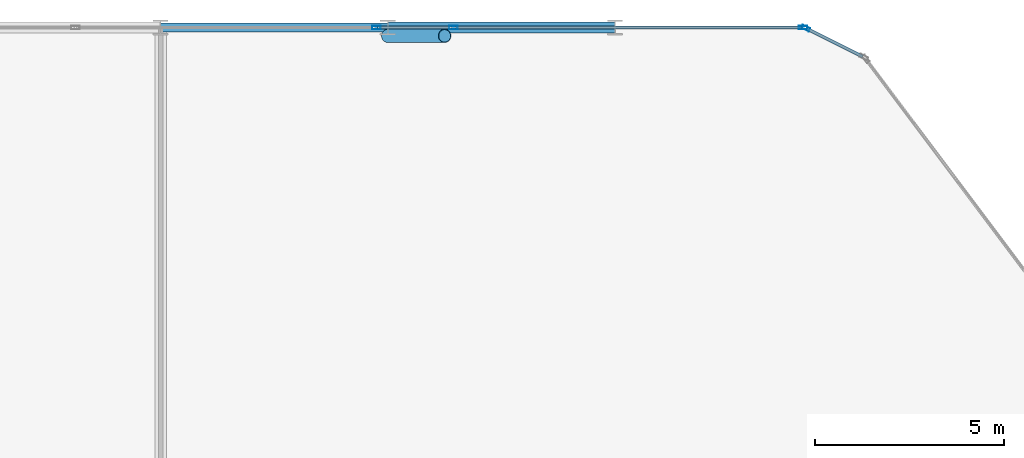
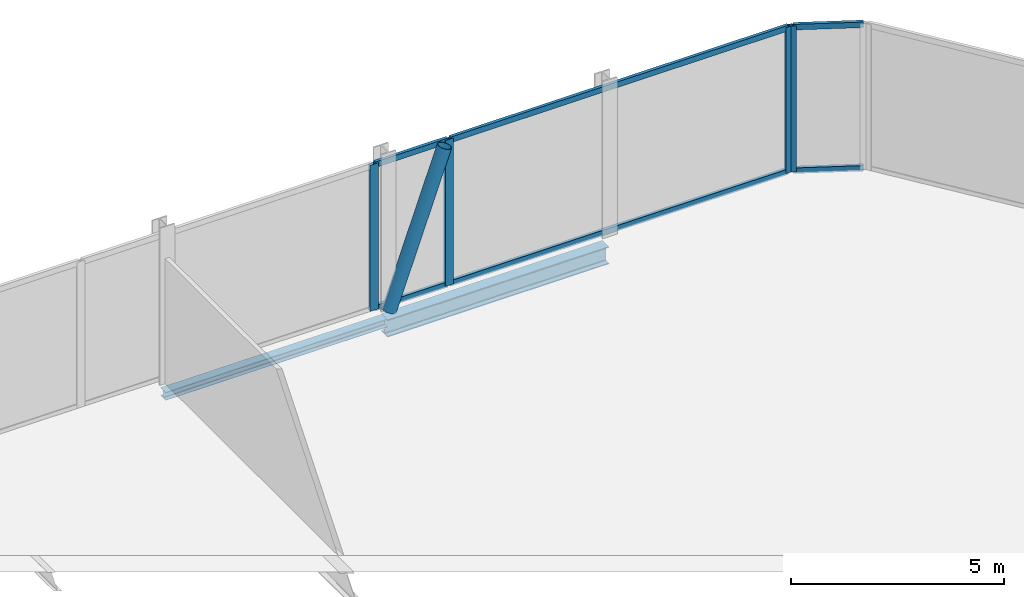
# One storey, part 17 of 30: 11 members, 2 beams, 4 elements without a shape of their own.
"""IFC4 building model written with IfcOpenShell, lengths in metres."""

from ifc_helpers import new_model, si_unit, direction, frame, origin, origin_2d, place, context, subcontext, project, spatial, hollow_rectangle, hollow_circle, i_section, extrude, material, layer, layer_set, material_profile, profile_set, type_object, element, aggregate, save


model = new_model("IFC4")

# Units and contexts
model_context = context("Model", 3, precision=1e-05, world=origin(), true_north=direction((0.0, 1.0)))
body_context = subcontext(model_context, "Body", "Model", "MODEL_VIEW")
ifc_project = project(units=[si_unit("LENGTHUNIT", "METRE"), si_unit("AREAUNIT", "SQUARE_METRE"), si_unit("VOLUMEUNIT", "CUBIC_METRE"), si_unit("PLANEANGLEUNIT", "RADIAN"), si_unit("MASSUNIT", "GRAM", prefix="KILO")], contexts=[model_context])

# Site, building, storey
site_placement = place(None, origin())
site = spatial("IfcSite", under=ifc_project, at=site_placement, CompositionType="ELEMENT")
building_placement = place(site_placement, origin())
building = spatial("IfcBuilding", under=site, at=building_placement, Name="Keshet Zoharim Tower", CompositionType="ELEMENT")
storey_placement = place(building_placement, frame((0.0, 0.0, 65.60009765625)))
storey = spatial("IfcBuildingStorey", under=building, at=storey_placement, Name="L15", CompositionType="ELEMENT", Elevation=65.60009765625)

# Beams
ifc_material_1 = material(Name="Steel S355", Category="steel")
ifc_material_profile_1 = material_profile(ifc_material_1, i_section(OverallWidth=0.239990234375, OverallDepth=0.22998046875, WebThickness=0.007568359375, FlangeThickness=0.011962890625, FilletRadius=0.02099609375, at=origin_2d()), Name="HEA240")
ifc_profile_set_1 = profile_set([ifc_material_profile_1], Name="Steel S355")
beam_type_1 = type_object("IfcBeamType", Name="BM-LNT-HA240", PredefinedType="LINTEL", material=ifc_profile_set_1)
beam_1_placement = place(storey_placement, frame((33.0, 53.89990234375, -0.43505859375), z_axis=(1.0, 0.0, 0.0), x_axis=(0.0, 1.0, 0.0)))
element("IfcBeam", 1, at=beam_1_placement, inside=storey, type_object=beam_type_1, Name="L15 Primary Girder X-028", PredefinedType="LINTEL", context=body_context, shape_type="SweptSolid", body=[
    extrude(i_section(OverallWidth=0.239990234375, OverallDepth=0.22998046875, WebThickness=0.007568359375, FlangeThickness=0.011962890625, FilletRadius=0.02099609375, at=origin_2d()), origin(), (0.0, 0.0, 1.0), 6.0),
])
ifc_material_profile_2 = material_profile(ifc_material_1, i_section(OverallWidth=0.300048828125, OverallDepth=0.5, WebThickness=0.014404296875, FlangeThickness=0.028076171875, FilletRadius=0.027099609375, at=origin_2d()), Name="HEB500")
ifc_profile_set_2 = profile_set([ifc_material_profile_2], Name="Steel S355")
beam_type_2 = type_object("IfcBeamType", Name="BM-WEB-HB500", PredefinedType="BEAM", material=ifc_profile_set_2)
beam_2_placement = place(storey_placement, frame((39.0, 53.89990234375, -0.570068359375), z_axis=(1.0, 0.0, 0.0), x_axis=(0.0, 1.0, 0.0)))
element("IfcBeam", 2, at=beam_2_placement, inside=storey, type_object=beam_type_2, Name="L15 Primary Girder X-029", PredefinedType="BEAM", context=body_context, shape_type="SweptSolid", body=[
    extrude(i_section(OverallWidth=0.300048828125, OverallDepth=0.5, WebThickness=0.014404296875, FlangeThickness=0.028076171875, FilletRadius=0.027099609375, at=origin_2d()), origin(), (0.0, 0.0, 1.0), 6.0),
])

# Curtain wall, member
ifc_material_2 = material(Name="Aluminium 6063-T6", Category="aluminium")
ifc_layer = layer(ifc_material_2, 0.169921875)
ifc_layer_set = layer_set([ifc_layer], Name="Aluminium 6063-T6")
curtain_wall_type = type_object("IfcCurtainWallType", Name="CW-SYS-02", PredefinedType="NOTDEFINED", material=ifc_layer_set)
curtain_wall_1_placement = place(storey_placement, origin())
curtain_wall_1 = element("IfcCurtainWall", 3, at=curtain_wall_1_placement, inside=storey, type_object=curtain_wall_type, Name="L15 Unitised Curtain Wall 04 Part 3", PredefinedType="NOTDEFINED")
ifc_material_profile_3 = material_profile(ifc_material_2, hollow_rectangle(XDim=0.090087890625, YDim=0.219970703125, WallThickness=0.0048828125, at=origin_2d()), Name="MUL-90x220")
ifc_profile_set_3 = profile_set([ifc_material_profile_3], Name="Aluminium 6063-T6")
member_type_1 = type_object("IfcMemberType", Name="CWM-M22", PredefinedType="MULLION", material=ifc_profile_set_3)
member_1_placement = place(storey_placement, frame((38.697509765625, 53.89990234375, 0.0), z_axis=(0.0, 0.0, 1.0), x_axis=(0.0, 1.0, 0.0)))
member_1 = element("IfcMember", 4, at=member_1_placement, type_object=member_type_1, Name="CW-02 mullion 3", PredefinedType="MULLION", context=body_context, shape_type="SweptSolid", body=[
    extrude(hollow_rectangle(XDim=0.090087890625, YDim=0.219970703125, WallThickness=0.0048828125, at=origin_2d()), origin(), (0.0, 0.0, 1.0), 4.184814453125),
])
aggregate(curtain_wall_1, [member_1])

curtain_wall_2_placement = place(storey_placement, origin())
curtain_wall_2 = element("IfcCurtainWall", 5, at=curtain_wall_2_placement, inside=storey, type_object=curtain_wall_type, Name="L15 Unitised Curtain Wall 04 Part 4", PredefinedType="NOTDEFINED")
member_2_placement = place(storey_placement, frame((40.732421875, 53.89990234375, 0.0), z_axis=(0.0, 0.0, 1.0), x_axis=(0.0, 1.0, 0.0)))
member_2 = element("IfcMember", 6, at=member_2_placement, type_object=member_type_1, Name="CW-02 mullion 2", PredefinedType="MULLION", context=body_context, shape_type="SweptSolid", body=[
    extrude(hollow_rectangle(XDim=0.090087890625, YDim=0.219970703125, WallThickness=0.0048828125, at=origin_2d()), origin(), (0.0, 0.0, 1.0), 4.184814453125),
])

curtain_wall_3_placement = place(storey_placement, origin())
curtain_wall_3 = element("IfcCurtainWall", 7, at=curtain_wall_3_placement, inside=storey, type_object=curtain_wall_type, Name="L15 Unitised Curtain Wall 04 Part 5", PredefinedType="NOTDEFINED")
member_3_placement = place(storey_placement, frame((49.965087890625, 53.89990234375, 0.0), z_axis=(0.0, 0.0, 1.0), x_axis=(0.0, 1.0, 0.0)))
member_3 = element("IfcMember", 8, at=member_3_placement, type_object=member_type_1, Name="CW-02 mullion 2", PredefinedType="MULLION", context=body_context, shape_type="SweptSolid", body=[
    extrude(hollow_rectangle(XDim=0.090087890625, YDim=0.219970703125, WallThickness=0.0048828125, at=origin_2d()), origin(), (0.0, 0.0, 1.0), 4.184814453125),
])

curtain_wall_4_placement = place(storey_placement, origin())
curtain_wall_4 = element("IfcCurtainWall", 9, at=curtain_wall_4_placement, inside=storey, type_object=curtain_wall_type, Name="L15 Unitised Curtain Wall 05", PredefinedType="NOTDEFINED")
member_4_placement = place(storey_placement, frame((50.03125, 53.88427734375, 0.0), z_axis=(0.0, 0.0, 1.0), x_axis=(0.447213595499, 0.894427191001, 0.0)))
member_4 = element("IfcMember", 10, at=member_4_placement, type_object=member_type_1, Name="CW-02 mullion 1", PredefinedType="MULLION", context=body_context, shape_type="SweptSolid", body=[
    extrude(hollow_rectangle(XDim=0.090087890625, YDim=0.219970703125, WallThickness=0.0048828125, at=origin_2d()), origin(), (0.0, 0.0, 1.0), 4.184814453125),
])

# Member
ifc_material_profile_4 = material_profile(ifc_material_2, hollow_rectangle(XDim=0.0849609375, YDim=0.159912109375, WallThickness=0.00439453125, at=origin_2d()), Name="TRN-85x160")
ifc_profile_set_4 = profile_set([ifc_material_profile_4], Name="Aluminium 6063-T6")
member_type_2 = type_object("IfcMemberType", Name="CWT-T16", PredefinedType="USERDEFINED", material=ifc_profile_set_4)
member_5_placement = place(storey_placement, frame((38.732666015625, 53.89990234375, 0.034912109375), z_axis=(1.0, 0.0, 0.0), x_axis=(0.0, 1.0, 0.0)))
member_5 = element("IfcMember", 11, at=member_5_placement, type_object=member_type_2, Name="CW-02 transom 1.1", ObjectType="TRANSOM", PredefinedType="USERDEFINED", context=body_context, shape_type="SweptSolid", body=[
    extrude(hollow_rectangle(XDim=0.0849609375, YDim=0.159912109375, WallThickness=0.00439453125, at=origin_2d()), origin(), (0.0, 0.0, 1.0), 1.96484375),
])

member_6_placement = place(storey_placement, frame((38.732666015625, 53.89990234375, 4.14990234375), z_axis=(1.0, 0.0, 0.0), x_axis=(0.0, 1.0, 0.0)))
member_6 = element("IfcMember", 12, at=member_6_placement, type_object=member_type_2, Name="CW-02 transom 1.2", ObjectType="TRANSOM", PredefinedType="USERDEFINED", context=body_context, shape_type="SweptSolid", body=[
    extrude(hollow_rectangle(XDim=0.0849609375, YDim=0.159912109375, WallThickness=0.00439453125, at=origin_2d()), origin(), (0.0, 0.0, 1.0), 1.96484375),
])

aggregate(curtain_wall_2, [member_2, member_5, member_6])

member_7_placement = place(storey_placement, frame((40.767333984375, 53.89990234375, 0.034912109375), z_axis=(1.0, 0.0, 0.0), x_axis=(0.0, 1.0, 0.0)))
member_7 = element("IfcMember", 13, at=member_7_placement, type_object=member_type_2, Name="CW-02 transom 1.1", ObjectType="TRANSOM", PredefinedType="USERDEFINED", context=body_context, shape_type="SweptSolid", body=[
    extrude(hollow_rectangle(XDim=0.0849609375, YDim=0.159912109375, WallThickness=0.00439453125, at=origin_2d()), origin(), (0.0, 0.0, 1.0), 9.16259765625),
])

member_8_placement = place(storey_placement, frame((40.767333984375, 53.89990234375, 4.14990234375), z_axis=(1.0, 0.0, 0.0), x_axis=(0.0, 1.0, 0.0)))
member_8 = element("IfcMember", 14, at=member_8_placement, type_object=member_type_2, Name="CW-02 transom 1.2", ObjectType="TRANSOM", PredefinedType="USERDEFINED", context=body_context, shape_type="SweptSolid", body=[
    extrude(hollow_rectangle(XDim=0.0849609375, YDim=0.159912109375, WallThickness=0.00439453125, at=origin_2d()), origin(), (0.0, 0.0, 1.0), 9.16259765625),
])

aggregate(curtain_wall_3, [member_3, member_7, member_8])

member_9_placement = place(storey_placement, frame((50.0625, 53.86865234375, 0.034912109375), z_axis=(0.894456801911, -0.447154368775, 0.0), x_axis=(0.447154368775, 0.894456801911, 0.0)))
member_9 = element("IfcMember", 15, at=member_9_placement, type_object=member_type_2, Name="CW-02 transom 1.1", ObjectType="TRANSOM", PredefinedType="USERDEFINED", context=body_context, shape_type="SweptSolid", body=[
    extrude(hollow_rectangle(XDim=0.0849609375, YDim=0.159912109375, WallThickness=0.00439453125, at=origin_2d()), origin(), (0.0, 0.0, 1.0), 1.64892578125),
])

member_10_placement = place(storey_placement, frame((50.0625, 53.86865234375, 4.14990234375), z_axis=(0.894456801911, -0.447154368775, 0.0), x_axis=(0.447154368775, 0.894456801911, 0.0)))
member_10 = element("IfcMember", 16, at=member_10_placement, type_object=member_type_2, Name="CW-02 transom 1.2", ObjectType="TRANSOM", PredefinedType="USERDEFINED", context=body_context, shape_type="SweptSolid", body=[
    extrude(hollow_rectangle(XDim=0.0849609375, YDim=0.159912109375, WallThickness=0.00439453125, at=origin_2d()), origin(), (0.0, 0.0, 1.0), 1.64892578125),
])

aggregate(curtain_wall_4, [member_4, member_9, member_10])

ifc_material_profile_5 = material_profile(ifc_material_1, hollow_circle(Radius=0.177734375, WallThickness=0.012451171875, at=origin_2d()), Name="CHS355x12.5")
ifc_profile_set_5 = profile_set([ifc_material_profile_5], Name="Steel S355")
member_type_3 = type_object("IfcMemberType", Name="MB-BR-C355", PredefinedType="BRACE", material=ifc_profile_set_5)
member_11_placement = place(storey_placement, frame((39.0, 53.679931640625, 0.0), z_axis=(0.337418140419, 0.0, 0.941354873847), x_axis=(0.0, 1.0, 0.0)))
element("IfcMember", 17, at=member_11_placement, inside=storey, type_object=member_type_3, Name="L15 Perimeter Tube Brace 04", PredefinedType="BRACE", context=body_context, shape_type="SweptSolid", body=[
    extrude(hollow_circle(Radius=0.177734375, WallThickness=0.012451171875, at=origin_2d()), origin(), (0.0, 0.0, 1.0), 4.445556640625),
])

save(model, "model.ifc")
